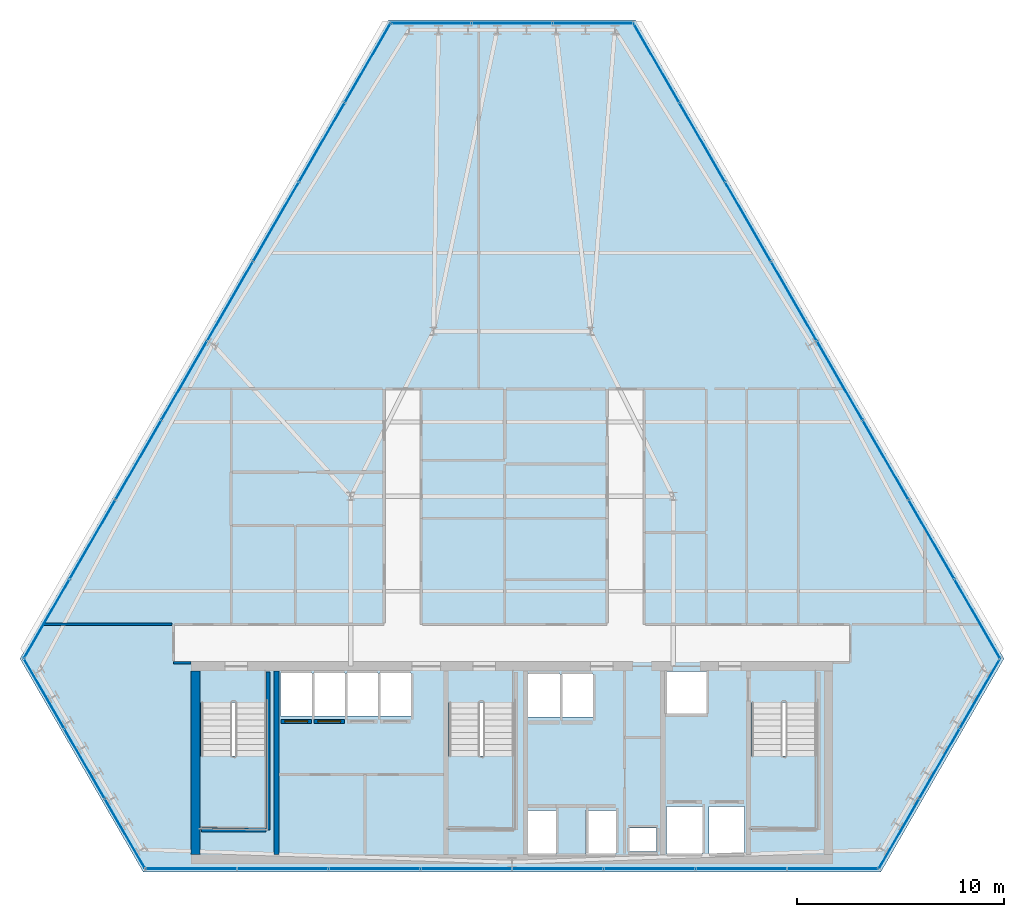
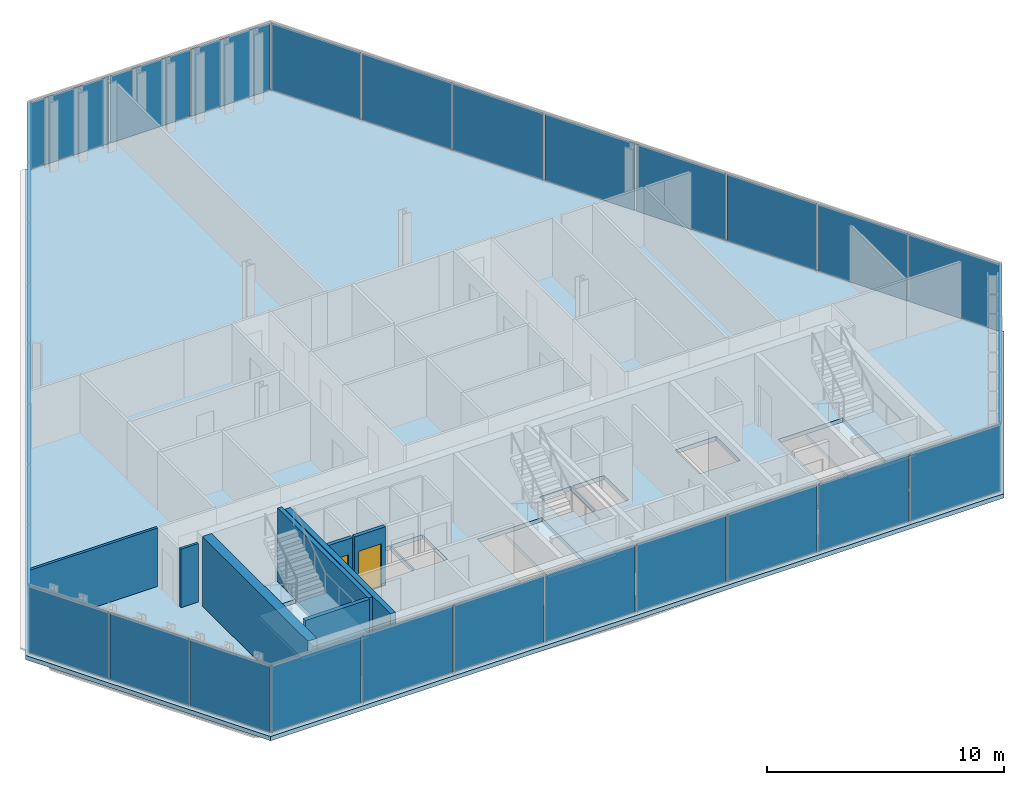
# One storey, part 24 of 31: 33 plates, 8 walls, 4 slabs, 2 doors, 2 openings, 9 elements without a shape of their own.
"""IFC4 building model written with IfcOpenShell, lengths in metres."""

from ifc_helpers import new_model, si_unit, direction, frame, frame_2d, origin, origin_2d, place, context, subcontext, project, spatial, polyline, rectangle, outline, extrude, material, layer, layer_set, type_object, element, fill, aggregate, save


model = new_model("IFC4")

# Units and contexts
model_context = context("Model", 3, precision=1e-05, world=origin(), true_north=direction((0.0, 1.0)))
body_context = subcontext(model_context, "Body", "Model", "MODEL_VIEW")
ifc_project = project(units=[si_unit("LENGTHUNIT", "METRE"), si_unit("AREAUNIT", "SQUARE_METRE"), si_unit("VOLUMEUNIT", "CUBIC_METRE"), si_unit("PLANEANGLEUNIT", "RADIAN"), si_unit("MASSUNIT", "GRAM", prefix="KILO")], contexts=[model_context])

# Site, building, storey
site_placement = place(None, origin())
site = spatial("IfcSite", under=ifc_project, at=site_placement, CompositionType="ELEMENT")
building_placement = place(site_placement, origin())
building = spatial("IfcBuilding", under=site, at=building_placement, Name="Ndaravel Arena Tower", CompositionType="ELEMENT")
storey_placement = place(building_placement, frame((0.0, 0.0, 138.39990234375)))
storey = spatial("IfcBuildingStorey", under=building, at=storey_placement, Name="L32", CompositionType="ELEMENT", Elevation=138.39990234375)

# Curtain wall, plate
ifc_material_1 = material(Name="Aluminium", Category="aluminium")
ifc_layer_1 = layer(ifc_material_1, 0.179931640625)
ifc_layer_set_1 = layer_set([ifc_layer_1], Name="Aluminium")
curtain_wall_type_1 = type_object("IfcCurtainWallType", Name="CW-SYS-01", PredefinedType="NOTDEFINED", material=ifc_layer_set_1)
curtain_wall_1_placement = place(storey_placement, origin())
curtain_wall_1 = element("IfcCurtainWall", 1, at=curtain_wall_1_placement, inside=storey, type_object=curtain_wall_type_1, Name="L32 Faceted Crystal Curtain Wall CW-L32-E02", PredefinedType="NOTDEFINED")
ifc_material_2 = material(Name="Glazing", Category="glass")
ifc_layer_2 = layer(ifc_material_2, 0.035888671875)
ifc_layer_set_2 = layer_set([ifc_layer_2], Name="Glazing")
plate_type_1 = type_object("IfcPlateType", Name="PLT-CW-OPVENT", PredefinedType="CURTAIN_PANEL", material=ifc_layer_set_2)
plate_1_placement = place(storey_placement, frame((62.69970703125, 10.251708984375, 0.06005859375), z_axis=(0.0, 0.0, 1.0), x_axis=(0.5, 0.866025403784, 0.0)))
plate_1 = element("IfcPlate", 2, at=plate_1_placement, type_object=plate_type_1, Name="CW-L32-E02 Operable Vent Sash Panel 02", PredefinedType="CURTAIN_PANEL", context=body_context, shape_type="SweptSolid", body=[
    extrude(rectangle(XDim=3.839599609375, YDim=0.035888671875, at=origin_2d()), origin(), (0.0, 0.0, 1.0), 3.4599609375),
])

curtain_wall_2_placement = place(storey_placement, origin())
curtain_wall_2 = element("IfcCurtainWall", 3, at=curtain_wall_2_placement, inside=storey, type_object=curtain_wall_type_1, Name="L32 Faceted Crystal Curtain Wall CW-L32-E04", PredefinedType="NOTDEFINED")
plate_2_placement = place(storey_placement, frame((42.0, 46.10498046875, 0.06005859375), z_axis=(0.0, 0.0, 1.0), x_axis=(-1.0, 0.0, 0.0)))
plate_2 = element("IfcPlate", 4, at=plate_2_placement, type_object=plate_type_1, Name="CW-L32-E04 Operable Vent Sash Panel 02", PredefinedType="CURTAIN_PANEL", context=body_context, shape_type="SweptSolid", body=[
    extrude(rectangle(XDim=3.839599609375, YDim=0.035888671875, at=origin_2d()), origin(), (0.0, 0.0, 1.0), 3.4599609375),
])

ifc_material_3 = material(Name="Aluminium", Category="aluminium")
ifc_layer_3 = layer(ifc_material_3, 0.179931640625)
ifc_layer_set_3 = layer_set([ifc_layer_3], Name="Aluminium")
curtain_wall_type_2 = type_object("IfcCurtainWallType", Name="CW-SYS-02", PredefinedType="NOTDEFINED", material=ifc_layer_set_3)
curtain_wall_3_placement = place(storey_placement, origin())
curtain_wall_3 = element("IfcCurtainWall", 5, at=curtain_wall_3_placement, inside=storey, type_object=curtain_wall_type_2, Name="L32 Faceted Crystal Curtain Wall CW-L32-E06", PredefinedType="NOTDEFINED")
plate_3_placement = place(storey_placement, frame((21.300048828125, 10.251708984375, 0.06005859375), z_axis=(0.0, 0.0, 1.0), x_axis=(0.5, -0.866025403784, 0.0)))
plate_3 = element("IfcPlate", 6, at=plate_3_placement, type_object=plate_type_1, Name="CW-L32-E06 Operable Vent Sash Panel 02", PredefinedType="CURTAIN_PANEL", context=body_context, shape_type="SweptSolid", body=[
    extrude(rectangle(XDim=3.839599609375, YDim=0.035888671875, at=origin_2d()), origin(), (0.0, 0.0, 1.0), 3.4599609375),
])

# Plate
ifc_material_4 = material(Name="Glazing", Category="glass")
ifc_layer_4 = layer(ifc_material_4, 0.031982421875)
ifc_layer_set_4 = layer_set([ifc_layer_4], Name="Glazing")
plate_type_2 = type_object("IfcPlateType", Name="PLT-GLZ-FRIT35", PredefinedType="CURTAIN_PANEL", material=ifc_layer_set_4)
plate_4_placement = place(storey_placement, frame((60.739990234375, 6.857177734375, 0.06005859375), z_axis=(0.0, 0.0, 1.0), x_axis=(0.5, 0.866025403784, 0.0)))
plate_4 = element("IfcPlate", 7, at=plate_4_placement, type_object=plate_type_2, Name="CW-L32-E02 Vision Glass Panel 01", PredefinedType="CURTAIN_PANEL", context=body_context, shape_type="SweptSolid", body=[
    extrude(rectangle(XDim=3.839599609375, YDim=0.035888671875, at=origin_2d()), origin(), (0.0, 0.0, 1.0), 3.4599609375),
])

plate_5_placement = place(storey_placement, frame((64.65966796875, 13.64599609375, 0.06005859375), z_axis=(0.0, 0.0, 1.0), x_axis=(0.5, 0.866025403784, 0.0)))
plate_5 = element("IfcPlate", 8, at=plate_5_placement, type_object=plate_type_2, Name="CW-L32-E02 Vision Glass Panel 03", PredefinedType="CURTAIN_PANEL", context=body_context, shape_type="SweptSolid", body=[
    extrude(rectangle(XDim=3.839599609375, YDim=0.035888671875, at=origin_2d()), origin(), (0.0, 0.0, 1.0), 3.4599609375),
])

aggregate(curtain_wall_1, [plate_4, plate_1, plate_5])

plate_6_placement = place(storey_placement, frame((45.91943359375, 46.10498046875, 0.06005859375), z_axis=(0.0, 0.0, 1.0), x_axis=(-1.0, 0.0, 0.0)))
plate_6 = element("IfcPlate", 9, at=plate_6_placement, type_object=plate_type_2, Name="CW-L32-E04 Vision Glass Panel 01", PredefinedType="CURTAIN_PANEL", context=body_context, shape_type="SweptSolid", body=[
    extrude(rectangle(XDim=3.839599609375, YDim=0.035888671875, at=origin_2d()), origin(), (0.0, 0.0, 1.0), 3.4599609375),
])

plate_7_placement = place(storey_placement, frame((38.08056640625, 46.10498046875, 0.06005859375), z_axis=(0.0, 0.0, 1.0), x_axis=(-1.0, 0.0, 0.0)))
plate_7 = element("IfcPlate", 10, at=plate_7_placement, type_object=plate_type_2, Name="CW-L32-E04 Vision Glass Panel 03", PredefinedType="CURTAIN_PANEL", context=body_context, shape_type="SweptSolid", body=[
    extrude(rectangle(XDim=3.839599609375, YDim=0.035888671875, at=origin_2d()), origin(), (0.0, 0.0, 1.0), 3.4599609375),
])

aggregate(curtain_wall_2, [plate_6, plate_2, plate_7])

ifc_material_5 = material(Name="Glazing", Category="glass")
ifc_layer_5 = layer(ifc_material_5, 0.035888671875)
ifc_layer_set_5 = layer_set([ifc_layer_5], Name="Glazing")
plate_type_3 = type_object("IfcPlateType", Name="PLT-GLZ-FRIT55", PredefinedType="CURTAIN_PANEL", material=ifc_layer_set_5)
plate_8_placement = place(storey_placement, frame((19.34033203125, 13.64599609375, 0.06005859375), z_axis=(0.0, 0.0, 1.0), x_axis=(0.5, -0.866025403784, 0.0)))
plate_8 = element("IfcPlate", 11, at=plate_8_placement, type_object=plate_type_3, Name="CW-L32-E06 Vision Glass Panel 01", PredefinedType="CURTAIN_PANEL", context=body_context, shape_type="SweptSolid", body=[
    extrude(rectangle(XDim=3.839599609375, YDim=0.035888671875, at=origin_2d()), origin(), (0.0, 0.0, 1.0), 3.4599609375),
])

plate_9_placement = place(storey_placement, frame((23.260009765625, 6.857177734375, 0.06005859375), z_axis=(0.0, 0.0, 1.0), x_axis=(0.5, -0.866025403784, 0.0)))
plate_9 = element("IfcPlate", 12, at=plate_9_placement, type_object=plate_type_3, Name="CW-L32-E06 Vision Glass Panel 03", PredefinedType="CURTAIN_PANEL", context=body_context, shape_type="SweptSolid", body=[
    extrude(rectangle(XDim=3.839599609375, YDim=0.035888671875, at=origin_2d()), origin(), (0.0, 0.0, 1.0), 3.4599609375),
])

aggregate(curtain_wall_3, [plate_8, plate_3, plate_9])

# Curtain wall, plates
ifc_material_6 = material(Name="Aluminium", Category="aluminium")
ifc_layer_6 = layer(ifc_material_6, 0.179931640625)
ifc_layer_set_6 = layer_set([ifc_layer_6], Name="Aluminium")
curtain_wall_type_3 = type_object("IfcCurtainWallType", Name="CW-SYS-03", PredefinedType="NOTDEFINED", material=ifc_layer_set_6)
curtain_wall_4_placement = place(storey_placement, origin())
curtain_wall_4 = element("IfcCurtainWall", 13, at=curtain_wall_4_placement, inside=storey, type_object=curtain_wall_type_3, Name="L32 Faceted Crystal Curtain Wall CW-L32-E01", PredefinedType="NOTDEFINED")
ifc_material_7 = material(Name="Glazing", Category="glass")
ifc_layer_7 = layer(ifc_material_7, 0.0400390625)
ifc_layer_set_7 = layer_set([ifc_layer_7], Name="Glazing")
plate_type_4 = type_object("IfcPlateType", Name="PLT-GLZ-LOWIRON", PredefinedType="CURTAIN_PANEL", material=ifc_layer_set_7)
plate_10_placement = place(storey_placement, frame((26.459716796875, 5.159912109375, 0.06005859375), z_axis=(0.0, 0.0, 1.0), x_axis=(1.0, 0.0, 0.0)))
plate_10 = element("IfcPlate", 14, at=plate_10_placement, type_object=plate_type_4, Name="CW-L32-E01 Vision Glass Panel 01", PredefinedType="CURTAIN_PANEL", context=body_context, shape_type="SweptSolid", body=[
    extrude(rectangle(XDim=4.360107421875, YDim=0.035888671875, at=origin_2d()), origin(), (0.0, 0.0, 1.0), 3.4599609375),
])
plate_11_placement = place(storey_placement, frame((30.89990234375, 5.159912109375, 0.06005859375), z_axis=(0.0, 0.0, 1.0), x_axis=(1.0, 0.0, 0.0)))
plate_11 = element("IfcPlate", 15, at=plate_11_placement, type_object=plate_type_4, Name="CW-L32-E01 Vision Glass Panel 02", PredefinedType="CURTAIN_PANEL", context=body_context, shape_type="SweptSolid", body=[
    extrude(rectangle(XDim=4.360107421875, YDim=0.035888671875, at=origin_2d()), origin(), (0.0, 0.0, 1.0), 3.4599609375),
])
plate_12_placement = place(storey_placement, frame((35.33984375, 5.159912109375, 0.06005859375), z_axis=(0.0, 0.0, 1.0), x_axis=(1.0, 0.0, 0.0)))
plate_12 = element("IfcPlate", 16, at=plate_12_placement, type_object=plate_type_4, Name="CW-L32-E01 Vision Glass Panel 03", PredefinedType="CURTAIN_PANEL", context=body_context, shape_type="SweptSolid", body=[
    extrude(rectangle(XDim=4.360107421875, YDim=0.035888671875, at=origin_2d()), origin(), (0.0, 0.0, 1.0), 3.4599609375),
])
plate_13_placement = place(storey_placement, frame((39.780029296875, 5.159912109375, 0.06005859375), z_axis=(0.0, 0.0, 1.0), x_axis=(1.0, 0.0, 0.0)))
plate_13 = element("IfcPlate", 17, at=plate_13_placement, type_object=plate_type_4, Name="CW-L32-E01 Vision Glass Panel 04", PredefinedType="CURTAIN_PANEL", context=body_context, shape_type="SweptSolid", body=[
    extrude(rectangle(XDim=4.360107421875, YDim=0.035888671875, at=origin_2d()), origin(), (0.0, 0.0, 1.0), 3.4599609375),
])
plate_14_placement = place(storey_placement, frame((44.219970703125, 5.159912109375, 0.06005859375), z_axis=(0.0, 0.0, 1.0), x_axis=(1.0, 0.0, 0.0)))
plate_14 = element("IfcPlate", 18, at=plate_14_placement, type_object=plate_type_4, Name="CW-L32-E01 Vision Glass Panel 05", PredefinedType="CURTAIN_PANEL", context=body_context, shape_type="SweptSolid", body=[
    extrude(rectangle(XDim=4.360107421875, YDim=0.035888671875, at=origin_2d()), origin(), (0.0, 0.0, 1.0), 3.4599609375),
])
plate_15_placement = place(storey_placement, frame((48.66015625, 5.159912109375, 0.06005859375), z_axis=(0.0, 0.0, 1.0), x_axis=(1.0, 0.0, 0.0)))
plate_15 = element("IfcPlate", 19, at=plate_15_placement, type_object=plate_type_4, Name="CW-L32-E01 Vision Glass Panel 06", PredefinedType="CURTAIN_PANEL", context=body_context, shape_type="SweptSolid", body=[
    extrude(rectangle(XDim=4.360107421875, YDim=0.035888671875, at=origin_2d()), origin(), (0.0, 0.0, 1.0), 3.4599609375),
])
plate_16_placement = place(storey_placement, frame((53.10009765625, 5.159912109375, 0.06005859375), z_axis=(0.0, 0.0, 1.0), x_axis=(1.0, 0.0, 0.0)))
plate_16 = element("IfcPlate", 20, at=plate_16_placement, type_object=plate_type_4, Name="CW-L32-E01 Vision Glass Panel 07", PredefinedType="CURTAIN_PANEL", context=body_context, shape_type="SweptSolid", body=[
    extrude(rectangle(XDim=4.360107421875, YDim=0.035888671875, at=origin_2d()), origin(), (0.0, 0.0, 1.0), 3.4599609375),
])
plate_17_placement = place(storey_placement, frame((57.540283203125, 5.159912109375, 0.06005859375), z_axis=(0.0, 0.0, 1.0), x_axis=(1.0, 0.0, 0.0)))
plate_17 = element("IfcPlate", 21, at=plate_17_placement, type_object=plate_type_4, Name="CW-L32-E01 Vision Glass Panel 08", PredefinedType="CURTAIN_PANEL", context=body_context, shape_type="SweptSolid", body=[
    extrude(rectangle(XDim=4.360107421875, YDim=0.035888671875, at=origin_2d()), origin(), (0.0, 0.0, 1.0), 3.4599609375),
])
aggregate(curtain_wall_4, [plate_10, plate_11, plate_12, plate_13, plate_14, plate_15, plate_16, plate_17])

curtain_wall_5_placement = place(storey_placement, origin())
curtain_wall_5 = element("IfcCurtainWall", 22, at=curtain_wall_5_placement, inside=storey, type_object=curtain_wall_type_3, Name="L32 Faceted Crystal Curtain Wall CW-L32-E03", PredefinedType="NOTDEFINED")
plate_18_placement = place(storey_placement, frame((64.529541015625, 17.265869140625, 0.06005859375), z_axis=(0.0, 0.0, 1.0), x_axis=(-0.5, 0.866025403784, 0.0)))
plate_18 = element("IfcPlate", 23, at=plate_18_placement, type_object=plate_type_4, Name="CW-L32-E03 Vision Glass Panel 01", PredefinedType="CURTAIN_PANEL", context=body_context, shape_type="SweptSolid", body=[
    extrude(rectangle(XDim=4.360107421875, YDim=0.035888671875, at=origin_2d()), origin(), (0.0, 0.0, 1.0), 3.4599609375),
])
plate_19_placement = place(storey_placement, frame((62.3095703125, 21.111083984375, 0.06005859375), z_axis=(0.0, 0.0, 1.0), x_axis=(-0.5, 0.866025403784, 0.0)))
plate_19 = element("IfcPlate", 24, at=plate_19_placement, type_object=plate_type_4, Name="CW-L32-E03 Vision Glass Panel 02", PredefinedType="CURTAIN_PANEL", context=body_context, shape_type="SweptSolid", body=[
    extrude(rectangle(XDim=4.360107421875, YDim=0.035888671875, at=origin_2d()), origin(), (0.0, 0.0, 1.0), 3.4599609375),
])
plate_20_placement = place(storey_placement, frame((60.08935546875, 24.956298828125, 0.06005859375), z_axis=(0.0, 0.0, 1.0), x_axis=(-0.5, 0.866025403784, 0.0)))
plate_20 = element("IfcPlate", 25, at=plate_20_placement, type_object=plate_type_4, Name="CW-L32-E03 Vision Glass Panel 03", PredefinedType="CURTAIN_PANEL", context=body_context, shape_type="SweptSolid", body=[
    extrude(rectangle(XDim=4.360107421875, YDim=0.035888671875, at=origin_2d()), origin(), (0.0, 0.0, 1.0), 3.4599609375),
])
plate_21_placement = place(storey_placement, frame((57.869384765625, 28.801513671875, 0.06005859375), z_axis=(0.0, 0.0, 1.0), x_axis=(-0.5, 0.866025403784, 0.0)))
plate_21 = element("IfcPlate", 26, at=plate_21_placement, type_object=plate_type_4, Name="CW-L32-E03 Vision Glass Panel 04", PredefinedType="CURTAIN_PANEL", context=body_context, shape_type="SweptSolid", body=[
    extrude(rectangle(XDim=4.360107421875, YDim=0.035888671875, at=origin_2d()), origin(), (0.0, 0.0, 1.0), 3.4599609375),
])
plate_22_placement = place(storey_placement, frame((55.6494140625, 32.646728515625, 0.06005859375), z_axis=(0.0, 0.0, 1.0), x_axis=(-0.5, 0.866025403784, 0.0)))
plate_22 = element("IfcPlate", 27, at=plate_22_placement, type_object=plate_type_4, Name="CW-L32-E03 Vision Glass Panel 05", PredefinedType="CURTAIN_PANEL", context=body_context, shape_type="SweptSolid", body=[
    extrude(rectangle(XDim=4.360107421875, YDim=0.035888671875, at=origin_2d()), origin(), (0.0, 0.0, 1.0), 3.4599609375),
])
plate_23_placement = place(storey_placement, frame((53.429443359375, 36.491943359375, 0.06005859375), z_axis=(0.0, 0.0, 1.0), x_axis=(-0.5, 0.866025403784, 0.0)))
plate_23 = element("IfcPlate", 28, at=plate_23_placement, type_object=plate_type_4, Name="CW-L32-E03 Vision Glass Panel 06", PredefinedType="CURTAIN_PANEL", context=body_context, shape_type="SweptSolid", body=[
    extrude(rectangle(XDim=4.360107421875, YDim=0.035888671875, at=origin_2d()), origin(), (0.0, 0.0, 1.0), 3.4599609375),
])
plate_24_placement = place(storey_placement, frame((51.209228515625, 40.337158203125, 0.06005859375), z_axis=(0.0, 0.0, 1.0), x_axis=(-0.5, 0.866025403784, 0.0)))
plate_24 = element("IfcPlate", 29, at=plate_24_placement, type_object=plate_type_4, Name="CW-L32-E03 Vision Glass Panel 07", PredefinedType="CURTAIN_PANEL", context=body_context, shape_type="SweptSolid", body=[
    extrude(rectangle(XDim=4.360107421875, YDim=0.035888671875, at=origin_2d()), origin(), (0.0, 0.0, 1.0), 3.4599609375),
])
plate_25_placement = place(storey_placement, frame((48.9892578125, 44.182373046875, 0.06005859375), z_axis=(0.0, 0.0, 1.0), x_axis=(-0.5, 0.866025403784, 0.0)))
plate_25 = element("IfcPlate", 30, at=plate_25_placement, type_object=plate_type_4, Name="CW-L32-E03 Vision Glass Panel 08", PredefinedType="CURTAIN_PANEL", context=body_context, shape_type="SweptSolid", body=[
    extrude(rectangle(XDim=4.360107421875, YDim=0.035888671875, at=origin_2d()), origin(), (0.0, 0.0, 1.0), 3.4599609375),
])
aggregate(curtain_wall_5, [plate_18, plate_19, plate_20, plate_21, plate_22, plate_23, plate_24, plate_25])

curtain_wall_6_placement = place(storey_placement, origin())
curtain_wall_6 = element("IfcCurtainWall", 31, at=curtain_wall_6_placement, inside=storey, type_object=curtain_wall_type_3, Name="L32 Faceted Crystal Curtain Wall CW-L32-E05", PredefinedType="NOTDEFINED")
plate_26_placement = place(storey_placement, frame((35.0107421875, 44.182373046875, 0.06005859375), z_axis=(0.0, 0.0, 1.0), x_axis=(-0.5, -0.866025403784, 0.0)))
plate_26 = element("IfcPlate", 32, at=plate_26_placement, type_object=plate_type_4, Name="CW-L32-E05 Vision Glass Panel 01", PredefinedType="CURTAIN_PANEL", context=body_context, shape_type="SweptSolid", body=[
    extrude(rectangle(XDim=4.360107421875, YDim=0.035888671875, at=origin_2d()), origin(), (0.0, 0.0, 1.0), 3.4599609375),
])
plate_27_placement = place(storey_placement, frame((32.790771484375, 40.337158203125, 0.06005859375), z_axis=(0.0, 0.0, 1.0), x_axis=(-0.5, -0.866025403784, 0.0)))
plate_27 = element("IfcPlate", 33, at=plate_27_placement, type_object=plate_type_4, Name="CW-L32-E05 Vision Glass Panel 02", PredefinedType="CURTAIN_PANEL", context=body_context, shape_type="SweptSolid", body=[
    extrude(rectangle(XDim=4.360107421875, YDim=0.035888671875, at=origin_2d()), origin(), (0.0, 0.0, 1.0), 3.4599609375),
])
plate_28_placement = place(storey_placement, frame((30.570556640625, 36.491943359375, 0.06005859375), z_axis=(0.0, 0.0, 1.0), x_axis=(-0.5, -0.866025403784, 0.0)))
plate_28 = element("IfcPlate", 34, at=plate_28_placement, type_object=plate_type_4, Name="CW-L32-E05 Vision Glass Panel 03", PredefinedType="CURTAIN_PANEL", context=body_context, shape_type="SweptSolid", body=[
    extrude(rectangle(XDim=4.360107421875, YDim=0.035888671875, at=origin_2d()), origin(), (0.0, 0.0, 1.0), 3.4599609375),
])
plate_29_placement = place(storey_placement, frame((28.3505859375, 32.646728515625, 0.06005859375), z_axis=(0.0, 0.0, 1.0), x_axis=(-0.5, -0.866025403784, 0.0)))
plate_29 = element("IfcPlate", 35, at=plate_29_placement, type_object=plate_type_4, Name="CW-L32-E05 Vision Glass Panel 04", PredefinedType="CURTAIN_PANEL", context=body_context, shape_type="SweptSolid", body=[
    extrude(rectangle(XDim=4.360107421875, YDim=0.035888671875, at=origin_2d()), origin(), (0.0, 0.0, 1.0), 3.4599609375),
])
plate_30_placement = place(storey_placement, frame((26.130615234375, 28.801513671875, 0.06005859375), z_axis=(0.0, 0.0, 1.0), x_axis=(-0.5, -0.866025403784, 0.0)))
plate_30 = element("IfcPlate", 36, at=plate_30_placement, type_object=plate_type_4, Name="CW-L32-E05 Vision Glass Panel 05", PredefinedType="CURTAIN_PANEL", context=body_context, shape_type="SweptSolid", body=[
    extrude(rectangle(XDim=4.360107421875, YDim=0.035888671875, at=origin_2d()), origin(), (0.0, 0.0, 1.0), 3.4599609375),
])
plate_31_placement = place(storey_placement, frame((23.91064453125, 24.956298828125, 0.06005859375), z_axis=(0.0, 0.0, 1.0), x_axis=(-0.5, -0.866025403784, 0.0)))
plate_31 = element("IfcPlate", 37, at=plate_31_placement, type_object=plate_type_4, Name="CW-L32-E05 Vision Glass Panel 06", PredefinedType="CURTAIN_PANEL", context=body_context, shape_type="SweptSolid", body=[
    extrude(rectangle(XDim=4.360107421875, YDim=0.035888671875, at=origin_2d()), origin(), (0.0, 0.0, 1.0), 3.4599609375),
])
plate_32_placement = place(storey_placement, frame((21.6904296875, 21.111083984375, 0.06005859375), z_axis=(0.0, 0.0, 1.0), x_axis=(-0.5, -0.866025403784, 0.0)))
plate_32 = element("IfcPlate", 38, at=plate_32_placement, type_object=plate_type_4, Name="CW-L32-E05 Vision Glass Panel 07", PredefinedType="CURTAIN_PANEL", context=body_context, shape_type="SweptSolid", body=[
    extrude(rectangle(XDim=4.360107421875, YDim=0.035888671875, at=origin_2d()), origin(), (0.0, 0.0, 1.0), 3.4599609375),
])
plate_33_placement = place(storey_placement, frame((19.470458984375, 17.265869140625, 0.06005859375), z_axis=(0.0, 0.0, 1.0), x_axis=(-0.5, -0.866025403784, 0.0)))
plate_33 = element("IfcPlate", 39, at=plate_33_placement, type_object=plate_type_4, Name="CW-L32-E05 Vision Glass Panel 08", PredefinedType="CURTAIN_PANEL", context=body_context, shape_type="SweptSolid", body=[
    extrude(rectangle(XDim=4.360107421875, YDim=0.035888671875, at=origin_2d()), origin(), (0.0, 0.0, 1.0), 3.4599609375),
])
aggregate(curtain_wall_6, [plate_26, plate_27, plate_28, plate_29, plate_30, plate_31, plate_32, plate_33])

# Stair, slab
ifc_material_8 = material(Name="Concrete C40/50", Category="concrete")
stair_type = type_object("IfcStairType", Name="STAIR-CORE-HT", PredefinedType="HALF_TURN_STAIR", material=ifc_material_8)
stair_1_placement = place(storey_placement, origin())
stair_1 = element("IfcStair", 40, at=stair_1_placement, inside=storey, type_object=stair_type, Name="L32 ST-1", PredefinedType="HALF_TURN_STAIR")
ifc_material_9 = material(Name="Concrete C40/50", Category="concrete")
ifc_layer_8 = layer(ifc_material_9, 0.199951171875)
ifc_layer_set_8 = layer_set([ifc_layer_8], Name="Concrete C40/50")
slab_type_1 = type_object("IfcSlabType", Name="SLAB-STAIR-LANDING", PredefinedType="LANDING", material=ifc_layer_set_8)
slab_1_placement = place(storey_placement, frame((0.0, 0.0, 1.7001953125)))
slab_1 = element("IfcSlab", 41, at=slab_1_placement, type_object=slab_type_1, Name="ST-1 landing 1", PredefinedType="LANDING", context=body_context, shape_type="SweptSolid", body=[
    extrude(outline(polyline([(26.81005859375, 10.6298828125), (26.81005859375, 7.070068359375), (30.169921875, 7.070068359375), (30.169921875, 10.6298828125), (26.81005859375, 10.6298828125)])), origin(), (0.0, 0.0, 1.0), 0.199951171875),
])
aggregate(stair_1, [slab_1])

stair_2_placement = place(storey_placement, origin())
stair_2 = element("IfcStair", 42, at=stair_2_placement, inside=storey, type_object=stair_type, Name="L32 ST-2", PredefinedType="HALF_TURN_STAIR")
slab_2_placement = place(storey_placement, frame((0.0, 0.0, 1.7001953125)))
slab_2 = element("IfcSlab", 43, at=slab_2_placement, type_object=slab_type_1, Name="ST-2 landing 1", PredefinedType="LANDING", context=body_context, shape_type="SweptSolid", body=[
    extrude(outline(polyline([(38.81005859375, 10.6298828125), (38.81005859375, 7.070068359375), (42.169921875, 7.070068359375), (42.169921875, 10.6298828125), (38.81005859375, 10.6298828125)])), origin(), (0.0, 0.0, 1.0), 0.199951171875),
])
aggregate(stair_2, [slab_2])

stair_3_placement = place(storey_placement, origin())
stair_3 = element("IfcStair", 44, at=stair_3_placement, inside=storey, type_object=stair_type, Name="L32 ST-3", PredefinedType="HALF_TURN_STAIR")
slab_3_placement = place(storey_placement, frame((0.0, 0.0, 1.7001953125)))
slab_3 = element("IfcSlab", 45, at=slab_3_placement, type_object=slab_type_1, Name="ST-3 landing 1", PredefinedType="LANDING", context=body_context, shape_type="SweptSolid", body=[
    extrude(outline(polyline([(53.4599609375, 10.6298828125), (53.4599609375, 7.070068359375), (56.820068359375, 7.070068359375), (56.820068359375, 10.6298828125), (53.4599609375, 10.6298828125)])), origin(), (0.0, 0.0, 1.0), 0.199951171875),
])
aggregate(stair_3, [slab_3])

# Slab
ifc_material_10 = material(Name="Concrete C40/50", Category="concrete")
ifc_layer_9 = layer(ifc_material_10, 0.219970703125)
ifc_layer_set_9 = layer_set([ifc_layer_9], Name="Concrete C40/50")
slab_type_2 = type_object("IfcSlabType", Name="SLAB-TWR-220", PredefinedType="FLOOR", material=ifc_layer_set_9)
slab_4_placement = place(storey_placement, frame((0.0, 0.0, -0.219970703125)))
element("IfcSlab", 46, at=slab_4_placement, inside=storey, type_object=slab_type_2, Name="L32 Structural Floor Slab", PredefinedType="FLOOR", context=body_context, shape_type="SweptSolid", body=[
    extrude(outline(polyline([(18.17578125, 15.34326171875), (24.1474609375, 5.0), (59.8525390625, 5.0), (65.82421875, 15.34326171875), (47.9716796875, 46.264892578125), (36.0283203125, 46.264892578125), (18.17578125, 15.34326171875)]), holes=[polyline([(26.949951171875, 13.215087890625), (26.949951171875, 7.14990234375), (30.090087890625, 7.14990234375), (30.090087890625, 13.215087890625), (26.949951171875, 13.215087890625)]), polyline([(38.949951171875, 13.215087890625), (38.949951171875, 7.14990234375), (42.090087890625, 7.14990234375), (42.090087890625, 13.215087890625), (38.949951171875, 13.215087890625)]), polyline([(53.60009765625, 13.215087890625), (53.60009765625, 7.14990234375), (56.739990234375, 7.14990234375), (56.739990234375, 13.215087890625), (53.60009765625, 13.215087890625)]), polyline([(30.784912109375, 12.56005859375), (32.31494140625, 12.56005859375), (32.31494140625, 14.639892578125), (30.784912109375, 14.639892578125), (30.784912109375, 12.56005859375)]), polyline([(32.385009765625, 12.56005859375), (33.9150390625, 12.56005859375), (33.9150390625, 14.639892578125), (32.385009765625, 14.639892578125), (32.385009765625, 12.56005859375)]), polyline([(33.985107421875, 12.56005859375), (35.514892578125, 12.56005859375), (35.514892578125, 14.639892578125), (33.985107421875, 14.639892578125), (33.985107421875, 12.56005859375)]), polyline([(35.5849609375, 12.56005859375), (37.114990234375, 12.56005859375), (37.114990234375, 14.639892578125), (35.5849609375, 14.639892578125), (35.5849609375, 12.56005859375)]), polyline([(42.659912109375, 5.909912109375), (44.139892578125, 5.909912109375), (44.139892578125, 7.989990234375), (42.659912109375, 7.989990234375), (42.659912109375, 5.909912109375)]), polyline([(45.56005859375, 5.909912109375), (47.0400390625, 5.909912109375), (47.0400390625, 7.989990234375), (45.56005859375, 7.989990234375), (45.56005859375, 5.909912109375)]), polyline([(42.784912109375, 12.510009765625), (44.31494140625, 12.510009765625), (44.31494140625, 14.590087890625), (42.784912109375, 14.590087890625), (42.784912109375, 12.510009765625)]), polyline([(44.385009765625, 12.510009765625), (45.9150390625, 12.510009765625), (45.9150390625, 14.590087890625), (44.385009765625, 14.590087890625), (44.385009765625, 12.510009765625)]), polyline([(49.485107421875, 5.909912109375), (51.215087890625, 5.909912109375), (51.215087890625, 8.18994140625), (49.485107421875, 8.18994140625), (49.485107421875, 5.909912109375)]), polyline([(51.534912109375, 5.909912109375), (53.264892578125, 5.909912109375), (53.264892578125, 8.18994140625), (51.534912109375, 8.18994140625), (51.534912109375, 5.909912109375)]), polyline([(49.4599609375, 12.68505859375), (51.43994140625, 12.68505859375), (51.43994140625, 14.715087890625), (49.4599609375, 14.715087890625), (49.4599609375, 12.68505859375)]), polyline([(47.699951171875, 6.0), (49.0, 6.0), (49.0, 7.139892578125), (47.699951171875, 7.139892578125), (47.699951171875, 6.0)])]), origin(), (0.0, 0.0, 1.0), 0.219970703125),
])

# Walls
ifc_material_11 = material(Name="Concrete C60/75", Category="concrete")
ifc_layer_10 = layer(ifc_material_11, 0.25)
ifc_layer_set_10 = layer_set([ifc_layer_10], Name="Concrete C60/75")
wall_type_1 = type_object("IfcWallType", Name="WALL-CORE-250", PredefinedType="SOLIDWALL", material=ifc_layer_set_10)
wall_1_placement = place(storey_placement, frame((30.60009765625, 5.85009765625, 0.0), z_axis=(0.0, 0.0, 1.0), x_axis=(0.0, 1.0, 0.0)))
element("IfcWall", 47, at=wall_1_placement, inside=storey, type_object=wall_type_1, Name="L32 Core Web Shear Wall 1", PredefinedType="SOLIDWALL", context=body_context, shape_type="SweptSolid", body=[
    extrude(rectangle(XDim=8.89990234375, YDim=0.25, at=frame_2d((4.449951171875, 0.0))), origin(), (0.0, 0.0, 1.0), 3.580078125),
])
ifc_material_12 = material(Name="Concrete C60/75", Category="concrete")
ifc_layer_11 = layer(ifc_material_12, 0.449951171875)
ifc_layer_set_11 = layer_set([ifc_layer_11], Name="Concrete C60/75")
wall_type_2 = type_object("IfcWallType", Name="WALL-CORE-450", PredefinedType="SOLIDWALL", material=ifc_layer_set_11)
wall_2_placement = place(storey_placement, frame((26.675048828125, 5.85009765625, 0.0), z_axis=(0.0, 0.0, 1.0), x_axis=(0.0, 1.0, 0.0)))
element("IfcWall", 48, at=wall_2_placement, inside=storey, type_object=wall_type_2, Name="L32 Core West Shear Wall", PredefinedType="SOLIDWALL", context=body_context, shape_type="SweptSolid", body=[
    extrude(rectangle(XDim=8.89990234375, YDim=0.449951171875, at=frame_2d((4.449951171875, 0.0))), origin(), (0.0, 0.0, 1.0), 3.580078125),
])
ifc_material_13 = material(Name="Gypsum", Category="gypsum")
ifc_layer_12 = layer(ifc_material_13, 0.125)
ifc_layer_set_12 = layer_set([ifc_layer_12], Name="Gypsum")
wall_type_3 = type_object("IfcWallType", Name="WALL-PART-125", PredefinedType="PARTITIONING", material=ifc_layer_set_12)
wall_3_placement = place(storey_placement, frame((26.449951171875, 15.14990234375, 0.0), z_axis=(0.0, 0.0, 1.0), x_axis=(-1.0, 0.0, 0.0)))
element("IfcWall", 49, at=wall_3_placement, inside=storey, type_object=wall_type_3, Name="L32 Interior Partition 003", PredefinedType="PARTITIONING", context=body_context, shape_type="SweptSolid", body=[
    extrude(rectangle(XDim=0.849853515625, YDim=0.125, at=frame_2d((0.4248046875, 0.0))), origin(), (0.0, 0.0, 1.0), 3.010498046875),
])
wall_4_placement = place(storey_placement, frame((19.31689453125, 17.0, 0.0), z_axis=(0.0, 0.0, 1.0), x_axis=(1.0, 0.0, 0.0)))
element("IfcWall", 50, at=wall_4_placement, inside=storey, type_object=wall_type_3, Name="L32 Interior Partition 029", PredefinedType="PARTITIONING", context=body_context, shape_type="SweptSolid", body=[
    extrude(rectangle(XDim=6.218017578125, YDim=0.125, at=frame_2d((3.10888671875, 0.0))), origin(), (0.0, 0.0, 1.0), 3.010498046875),
])
ifc_material_14 = material(Name="Concrete C40/50", Category="concrete")
ifc_layer_13 = layer(ifc_material_14, 0.199951171875)
ifc_layer_set_13 = layer_set([ifc_layer_13], Name="Concrete C40/50")
wall_type_4 = type_object("IfcWallType", Name="WALL-SHAFT-200", PredefinedType="SOLIDWALL", material=ifc_layer_set_13)
wall_5_placement = place(storey_placement, frame((30.18994140625, 14.699951171875, 0.0), z_axis=(0.0, 0.0, 1.0), x_axis=(0.0, -1.0, 0.0)))
element("IfcWall", 51, at=wall_5_placement, inside=storey, type_object=wall_type_4, Name="L32 ST-1 Structural Shaft Wall Right", PredefinedType="SOLIDWALL", context=body_context, shape_type="SweptSolid", body=[
    extrude(rectangle(XDim=7.64990234375, YDim=0.199951171875, at=frame_2d((3.824951171875, 0.0))), origin(), (0.0, 0.0, 1.0), 3.800048828125),
])
wall_6_placement = place(storey_placement, frame((26.969970703125, 7.050048828125, 0.0), z_axis=(0.0, 0.0, 1.0), x_axis=(1.0, 0.0, 0.0)))
element("IfcWall", 52, at=wall_6_placement, inside=storey, type_object=wall_type_4, Name="L32 ST-1 Structural Shaft Wall Far", PredefinedType="SOLIDWALL", context=body_context, shape_type="SweptSolid", body=[
    extrude(rectangle(XDim=3.114990234375, YDim=0.199951171875, at=frame_2d((1.5576171875, 0.0))), origin(), (0.0, 0.0, 1.0), 3.800048828125),
])

# Wall, opening, door
wall_7_placement = place(storey_placement, frame((30.804931640625, 12.300048828125, 0.0), z_axis=(0.0, 0.0, 1.0), x_axis=(1.0, 0.0, 0.0)))
wall_7 = element("IfcWall", 53, at=wall_7_placement, inside=storey, type_object=wall_type_4, Name="L32 PL-M1 Shaft Landing Wall", PredefinedType="SOLIDWALL", context=body_context, shape_type="SweptSolid", body=[
    extrude(rectangle(XDim=1.489990234375, YDim=0.179931640625, at=frame_2d((0.7451171875, 0.0))), origin(), (0.0, 0.0, 1.0), 3.010498046875),
])
opening_1_placement = place(wall_7_placement, frame((0.195068359375, 0.0, 0.0)))
opening_1 = element("IfcOpeningElement", 54, at=opening_1_placement, cuts=wall_7, Name="Opening LD-01", PredefinedType="OPENING", context=body_context, shape_type="SweptSolid", body=[
    extrude(rectangle(XDim=1.10009765625, YDim=2.199951171875, at=frame_2d((0.550048828125, 1.10009765625))), frame((0.0, 0.08984375, 0.0), z_axis=(0.0, -1.0, 0.0), x_axis=(1.0, 0.0, 0.0)), (0.0, 0.0, 1.0), 0.179931640625),
])
ifc_material_15 = material(Name="Steel S355", Category="steel")
door_type = type_object("IfcDoorType", Name="DT-06-LIFT-1100", OperationType="SLIDING_TO_LEFT", PredefinedType="DOOR", material=ifc_material_15)
door_1_placement = place(opening_1_placement, origin())
door_1 = element("IfcDoor", 55, at=door_1_placement, inside=storey, type_object=door_type, Name="L32 Lift PL-M1 Sliding Landing Door", OperationType="SLIDING_TO_LEFT", OverallHeight=2.199951171875, OverallWidth=1.10009765625, PredefinedType="DOOR", context=body_context, shape_type="SweptSolid", body=[
    extrude(rectangle(XDim=1.10009765625, YDim=2.199951171875, at=frame_2d((0.550048828125, 1.10009765625))), frame((0.0, 0.02490234375, 0.0), z_axis=(0.0, -1.0, 0.0), x_axis=(1.0, 0.0, 0.0)), (0.0, 0.0, 1.0), 0.050048828125),
])
fill(opening_1, door_1)

wall_8_placement = place(storey_placement, frame((32.405029296875, 12.300048828125, 0.0), z_axis=(0.0, 0.0, 1.0), x_axis=(1.0, 0.0, 0.0)))
wall_8 = element("IfcWall", 56, at=wall_8_placement, inside=storey, type_object=wall_type_4, Name="L32 PL-M2 Shaft Landing Wall", PredefinedType="SOLIDWALL", context=body_context, shape_type="SweptSolid", body=[
    extrude(rectangle(XDim=1.489990234375, YDim=0.179931640625, at=frame_2d((0.7451171875, 0.0))), origin(), (0.0, 0.0, 1.0), 3.010498046875),
])
opening_2_placement = place(wall_8_placement, frame((0.195068359375, 0.0, 0.0)))
opening_2 = element("IfcOpeningElement", 57, at=opening_2_placement, cuts=wall_8, Name="Opening LD-01", PredefinedType="OPENING", context=body_context, shape_type="SweptSolid", body=[
    extrude(rectangle(XDim=1.10009765625, YDim=2.199951171875, at=frame_2d((0.550048828125, 1.10009765625))), frame((0.0, 0.08984375, 0.0), z_axis=(0.0, -1.0, 0.0), x_axis=(1.0, 0.0, 0.0)), (0.0, 0.0, 1.0), 0.179931640625),
])
door_2_placement = place(opening_2_placement, origin())
door_2 = element("IfcDoor", 58, at=door_2_placement, inside=storey, type_object=door_type, Name="L32 Lift PL-M2 Sliding Landing Door", OperationType="SLIDING_TO_LEFT", OverallHeight=2.199951171875, OverallWidth=1.10009765625, PredefinedType="DOOR", context=body_context, shape_type="SweptSolid", body=[
    extrude(rectangle(XDim=1.10009765625, YDim=2.199951171875, at=frame_2d((0.550048828125, 1.10009765625))), frame((0.0, 0.02490234375, 0.0), z_axis=(0.0, -1.0, 0.0), x_axis=(1.0, 0.0, 0.0)), (0.0, 0.0, 1.0), 0.050048828125),
])
fill(opening_2, door_2)

save(model, "model.ifc")
